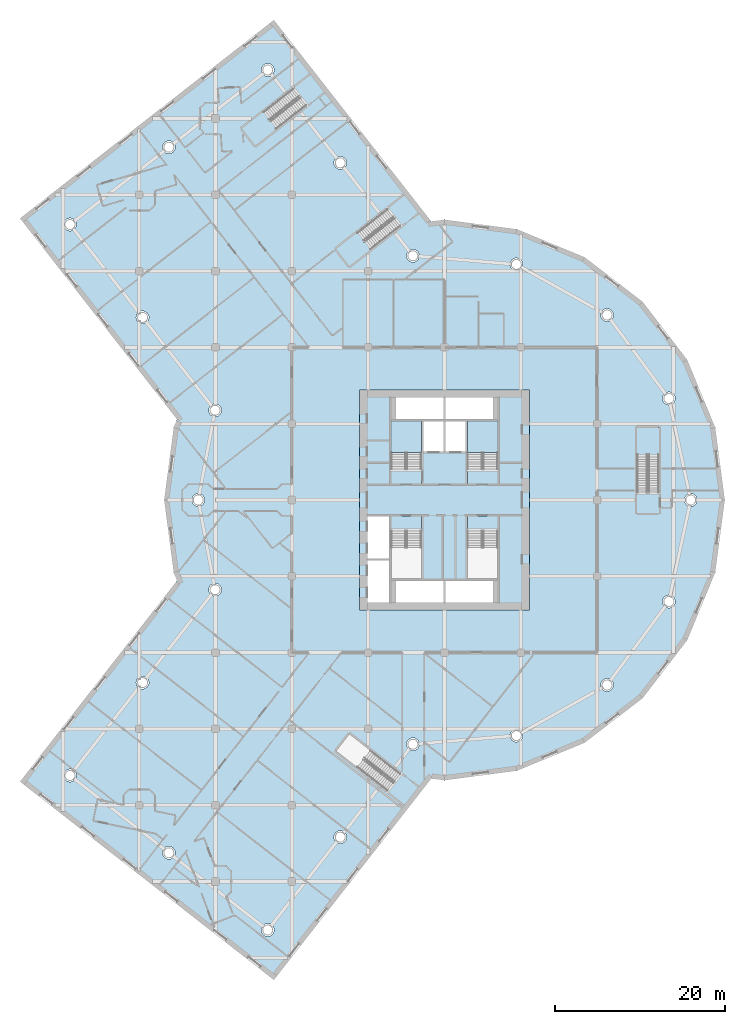
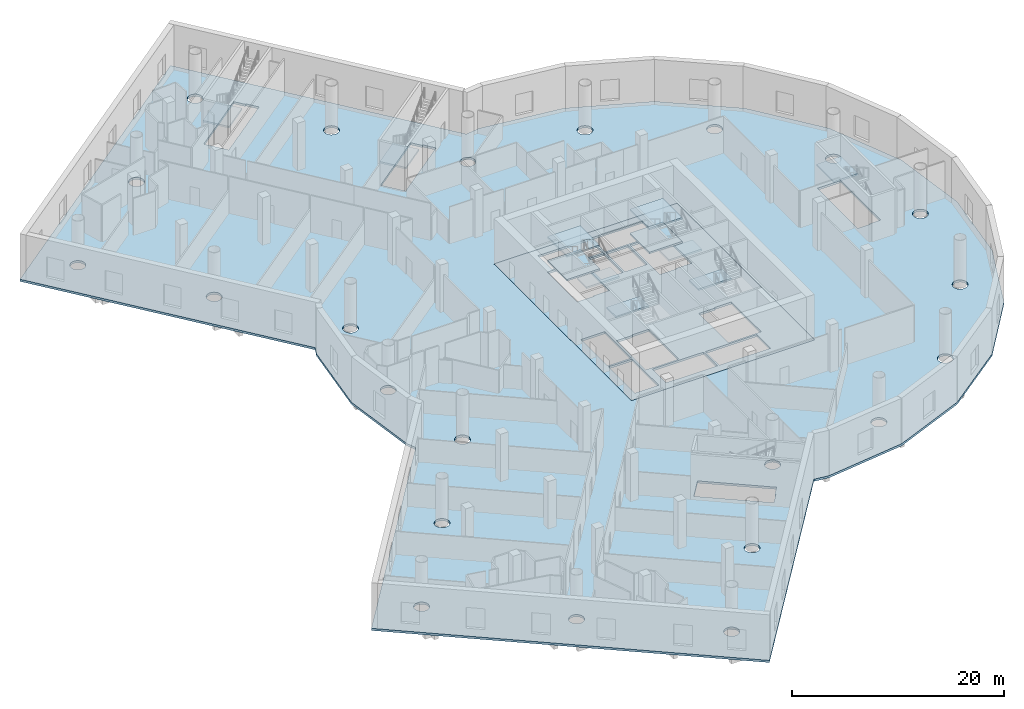
# One storey, part 3 of 23: 13 slabs, 7 elements without a shape of their own.
"""IFC4 building model written with IfcOpenShell, lengths in metres."""

from ifc_helpers import new_model, si_unit, direction, frame, origin, place, context, subcontext, project, spatial, polyline, outline, extrude, material, layer, layer_set, type_object, element, aggregate, save


model = new_model("IFC4")

# Units and contexts
model_context = context("Model", 3, precision=1e-05, world=origin(), true_north=direction((0.0, 1.0)))
body_context = subcontext(model_context, "Body", "Model", "MODEL_VIEW")
ifc_project = project(units=[si_unit("LENGTHUNIT", "METRE"), si_unit("AREAUNIT", "SQUARE_METRE"), si_unit("VOLUMEUNIT", "CUBIC_METRE"), si_unit("PLANEANGLEUNIT", "RADIAN"), si_unit("MASSUNIT", "GRAM", prefix="KILO")], contexts=[model_context])

# Site, building, storey
site_placement = place(None, origin())
site = spatial("IfcSite", under=ifc_project, at=site_placement, CompositionType="ELEMENT")
building_placement = place(site_placement, origin())
building = spatial("IfcBuilding", under=site, at=building_placement, Name="Tarsis Ring Headquarters", CompositionType="ELEMENT")
storey_placement = place(building_placement, frame((0.0, 0.0, 19.5)))
storey = spatial("IfcBuildingStorey", under=building, at=storey_placement, Name="L03", CompositionType="ELEMENT", Elevation=19.5)

# Slab
ifc_material_1 = material(Name="Concrete C40/50", Category="concrete")
ifc_layer_1 = layer(ifc_material_1, 0.25)
ifc_layer_set_1 = layer_set([ifc_layer_1], Name="Core floor slab 250 C40/50")
slab_type_1 = type_object("IfcSlabType", Name="Core floor slab 250 C40/50", PredefinedType="FLOOR", material=ifc_layer_set_1)
slab_1_placement = place(storey_placement, frame((0.0, 0.0, -0.25)))
element("IfcSlab", 1, at=slab_1_placement, inside=storey, type_object=slab_type_1, Name="L03 core floor slab", PredefinedType="FLOOR", context=body_context, shape_type="SweptSolid", body=[
    extrude(outline(polyline([(-10.0, -13.0), (10.0, -13.0), (10.0, 13.0), (-10.0, 13.0), (-10.0, -13.0)]), holes=[polyline([(-2.5, 5.699951171875), (-0.10009765625, 5.699951171875), (-0.10009765625, 9.300048828125), (-2.5, 9.300048828125), (-2.5, 5.699951171875)]), polyline([(0.10009765625, 5.699951171875), (2.5, 5.699951171875), (2.5, 9.300048828125), (0.10009765625, 9.300048828125), (0.10009765625, 5.699951171875)]), polyline([(-9.10009765625, -12.10009765625), (-6.5, -12.10009765625), (-6.5, -7.10009765625), (-9.10009765625, -7.10009765625), (-9.10009765625, -12.10009765625)]), polyline([(-9.10009765625, -6.89990234375), (-6.5, -6.89990234375), (-6.5, -1.89990234375), (-9.10009765625, -1.89990234375), (-9.10009765625, -6.89990234375)]), polyline([(-5.699951171875, 9.5), (-0.10009765625, 9.5), (-0.10009765625, 12.10009765625), (-5.699951171875, 12.10009765625), (-5.699951171875, 9.5)]), polyline([(0.10009765625, 9.5), (5.699951171875, 9.5), (5.699951171875, 12.10009765625), (0.10009765625, 12.10009765625), (0.10009765625, 9.5)]), polyline([(-5.699951171875, -12.10009765625), (-0.10009765625, -12.10009765625), (-0.10009765625, -9.5), (-5.699951171875, -9.5), (-5.699951171875, -12.10009765625)]), polyline([(0.10009765625, -12.10009765625), (5.699951171875, -12.10009765625), (5.699951171875, -9.5), (0.10009765625, -9.5), (0.10009765625, -12.10009765625)]), polyline([(-2.699951171875, 3.760009765625), (-2.699951171875, 9.300048828125), (-6.300048828125, 9.300048828125), (-6.300048828125, 3.659912109375), (-4.4599609375, 3.659912109375), (-4.4599609375, 3.760009765625), (-2.699951171875, 3.760009765625)]), polyline([(6.300048828125, 3.760009765625), (6.300048828125, 9.300048828125), (2.699951171875, 9.300048828125), (2.699951171875, 3.659912109375), (4.5400390625, 3.659912109375), (4.5400390625, 3.760009765625), (6.300048828125, 3.760009765625)]), polyline([(-6.300048828125, -3.760009765625), (-6.300048828125, -9.300048828125), (-2.699951171875, -9.300048828125), (-2.699951171875, -3.659912109375), (-4.5400390625, -3.659912109375), (-4.5400390625, -3.760009765625), (-6.300048828125, -3.760009765625)]), polyline([(2.699951171875, -3.760009765625), (2.699951171875, -9.300048828125), (6.300048828125, -9.300048828125), (6.300048828125, -3.659912109375), (4.4599609375, -3.659912109375), (4.4599609375, -3.760009765625), (2.699951171875, -3.760009765625)])]), origin(), (0.0, 0.0, 1.0), 0.25),
])

# Stair, slabs
ifc_material_2 = material(Name="Core stair 1760")
stair_type_1 = type_object("IfcStairType", Name="Core stair 1760", PredefinedType="HALF_TURN_STAIR", material=ifc_material_2)
stair_1_placement = place(storey_placement, origin())
stair_1 = element("IfcStair", 2, at=stair_1_placement, inside=storey, type_object=stair_type_1, Name="L03 Firefighting stair", PredefinedType="HALF_TURN_STAIR")
ifc_layer_2 = layer(ifc_material_1, 0.199951171875)
ifc_layer_set_2 = layer_set([ifc_layer_2], Name="Core stair landing 200")
slab_type_2 = type_object("IfcSlabType", Name="Core stair landing 200", PredefinedType="LANDING", material=ifc_layer_set_2)
slab_2_placement = place(storey_placement, frame((0.0, 0.0, 1.175048828125)))
slab_2 = element("IfcSlab", 3, at=slab_2_placement, type_object=slab_type_2, Name="Stair ST1 landing 1", PredefinedType="LANDING", context=body_context, shape_type="SweptSolid", body=[
    extrude(outline(polyline([(-2.699951171875, 5.6201171875), (-2.699951171875, 9.300048828125), (-6.300048828125, 9.300048828125), (-6.300048828125, 5.6201171875), (-2.699951171875, 5.6201171875)])), origin(), (0.0, 0.0, 1.0), 0.199951171875),
])
slab_3_placement = place(storey_placement, frame((0.0, 0.0, 2.550048828125)))
slab_3 = element("IfcSlab", 4, at=slab_3_placement, type_object=slab_type_2, Name="Stair ST1 landing 2", PredefinedType="LANDING", context=body_context, shape_type="SweptSolid", body=[
    extrude(outline(polyline([(-2.699951171875, 1.89990234375), (-2.699951171875, 3.659912109375), (-6.300048828125, 3.659912109375), (-6.300048828125, 1.89990234375), (-2.699951171875, 1.89990234375)])), origin(), (0.0, 0.0, 1.0), 0.199951171875),
])
slab_4_placement = place(storey_placement, frame((0.0, 0.0, 3.925048828125)))
slab_4 = element("IfcSlab", 5, at=slab_4_placement, type_object=slab_type_2, Name="Stair ST1 landing 3", PredefinedType="LANDING", context=body_context, shape_type="SweptSolid", body=[
    extrude(outline(polyline([(-2.699951171875, 5.6201171875), (-2.699951171875, 9.300048828125), (-6.300048828125, 9.300048828125), (-6.300048828125, 5.6201171875), (-2.699951171875, 5.6201171875)])), origin(), (0.0, 0.0, 1.0), 0.199951171875),
])
aggregate(stair_1, [slab_2, slab_3, slab_4])

stair_2_placement = place(storey_placement, origin())
stair_2 = element("IfcStair", 6, at=stair_2_placement, inside=storey, type_object=stair_type_1, Name="L03 Exit stair B", PredefinedType="HALF_TURN_STAIR")
slab_5_placement = place(storey_placement, frame((0.0, 0.0, 1.175048828125)))
slab_5 = element("IfcSlab", 7, at=slab_5_placement, type_object=slab_type_2, Name="Stair ST2 landing 1", PredefinedType="LANDING", context=body_context, shape_type="SweptSolid", body=[
    extrude(outline(polyline([(6.300048828125, 5.6201171875), (6.300048828125, 9.300048828125), (2.699951171875, 9.300048828125), (2.699951171875, 5.6201171875), (6.300048828125, 5.6201171875)])), origin(), (0.0, 0.0, 1.0), 0.199951171875),
])
slab_6_placement = place(storey_placement, frame((0.0, 0.0, 2.550048828125)))
slab_6 = element("IfcSlab", 8, at=slab_6_placement, type_object=slab_type_2, Name="Stair ST2 landing 2", PredefinedType="LANDING", context=body_context, shape_type="SweptSolid", body=[
    extrude(outline(polyline([(6.300048828125, 1.89990234375), (6.300048828125, 3.659912109375), (2.699951171875, 3.659912109375), (2.699951171875, 1.89990234375), (6.300048828125, 1.89990234375)])), origin(), (0.0, 0.0, 1.0), 0.199951171875),
])
slab_7_placement = place(storey_placement, frame((0.0, 0.0, 3.925048828125)))
slab_7 = element("IfcSlab", 9, at=slab_7_placement, type_object=slab_type_2, Name="Stair ST2 landing 3", PredefinedType="LANDING", context=body_context, shape_type="SweptSolid", body=[
    extrude(outline(polyline([(6.300048828125, 5.6201171875), (6.300048828125, 9.300048828125), (2.699951171875, 9.300048828125), (2.699951171875, 5.6201171875), (6.300048828125, 5.6201171875)])), origin(), (0.0, 0.0, 1.0), 0.199951171875),
])
aggregate(stair_2, [slab_5, slab_6, slab_7])

# Stair, slab
stair_3_placement = place(storey_placement, origin())
stair_3 = element("IfcStair", 10, at=stair_3_placement, inside=storey, type_object=stair_type_1, Name="L03 Exit stair C", PredefinedType="HALF_TURN_STAIR")
slab_8_placement = place(storey_placement, frame((0.0, 0.0, 2.550048828125)))
slab_8 = element("IfcSlab", 11, at=slab_8_placement, type_object=slab_type_2, Name="Stair ST3 landing 2", PredefinedType="LANDING", context=body_context, shape_type="SweptSolid", body=[
    extrude(outline(polyline([(-6.300048828125, -1.89990234375), (-6.300048828125, -3.659912109375), (-2.699951171875, -3.659912109375), (-2.699951171875, -1.89990234375), (-6.300048828125, -1.89990234375)])), origin(), (0.0, 0.0, 1.0), 0.199951171875),
])
aggregate(stair_3, [slab_8])

stair_4_placement = place(storey_placement, origin())
stair_4 = element("IfcStair", 12, at=stair_4_placement, inside=storey, type_object=stair_type_1, Name="L03 Exit stair D", PredefinedType="HALF_TURN_STAIR")
slab_9_placement = place(storey_placement, frame((0.0, 0.0, 2.550048828125)))
slab_9 = element("IfcSlab", 13, at=slab_9_placement, type_object=slab_type_2, Name="Stair ST4 landing 2", PredefinedType="LANDING", context=body_context, shape_type="SweptSolid", body=[
    extrude(outline(polyline([(2.699951171875, -1.89990234375), (2.699951171875, -3.659912109375), (6.300048828125, -3.659912109375), (6.300048828125, -1.89990234375), (2.699951171875, -1.89990234375)])), origin(), (0.0, 0.0, 1.0), 0.199951171875),
])
aggregate(stair_4, [slab_9])

# Slab
ifc_layer_3 = layer(ifc_material_1, 0.25)
ifc_layer_set_3 = layer_set([ifc_layer_3], Name="PO-S250")
slab_type_3 = type_object("IfcSlabType", Name="PO-S250", PredefinedType="FLOOR", material=ifc_layer_set_3)
slab_10_placement = place(storey_placement, frame((0.0, 0.0, -0.25)))
element("IfcSlab", 14, at=slab_10_placement, inside=storey, type_object=slab_type_3, Name="L03 podium floor slab", PredefinedType="FLOOR", context=body_context, shape_type="SweptSolid", body=[
    extrude(outline(polyline([(-50.06494140625, 33.218994140625), (-31.539794921875, 9.508056640625), (-31.933837890625, 8.556640625), (-33.060302734375, 0.0), (-31.933837890625, -8.556640625), (-31.539794921875, -9.508056640625), (-50.06494140625, -33.218994140625), (-20.12060546875, -56.6142578125), (-1.55810546875, -32.855224609375), (0.0, -33.060302734375), (8.556640625, -31.933837890625), (16.5302734375, -28.631103515625), (23.377197265625, -23.377197265625), (28.631103515625, -16.5302734375), (31.933837890625, -8.556640625), (33.060302734375, 0.0), (31.933837890625, 8.556640625), (28.631103515625, 16.5302734375), (23.377197265625, 23.377197265625), (16.5302734375, 28.631103515625), (8.556640625, 31.933837890625), (0.0, 33.060302734375), (-1.55810546875, 32.855224609375), (-20.12060546875, 56.6142578125), (-50.06494140625, 33.218994140625)]), holes=[polyline([(-20.844482421875, -51.46875), (-21.03857421875, -51.443115234375), (-21.219482421875, -51.3681640625), (-21.374755859375, -51.2490234375), (-21.493896484375, -51.09375), (-21.56884765625, -50.912841796875), (-21.594482421875, -50.71875), (-21.56884765625, -50.524658203125), (-21.493896484375, -50.34375), (-21.374755859375, -50.1884765625), (-21.219482421875, -50.0693359375), (-21.03857421875, -49.994384765625), (-20.844482421875, -49.96875), (-20.650146484375, -49.994384765625), (-20.469482421875, -50.0693359375), (-20.31396484375, -50.1884765625), (-20.19482421875, -50.34375), (-20.119873046875, -50.524658203125), (-20.094482421875, -50.71875), (-20.119873046875, -50.912841796875), (-20.19482421875, -51.09375), (-20.31396484375, -51.2490234375), (-20.469482421875, -51.3681640625), (-20.650146484375, -51.443115234375), (-20.844482421875, -51.46875)]), polyline([(-32.700927734375, -42.331298828125), (-32.8818359375, -42.256591796875), (-33.037353515625, -42.13720703125), (-33.156494140625, -41.98193359375), (-33.2314453125, -41.801025390625), (-33.2568359375, -41.60693359375), (-33.2314453125, -41.412841796875), (-33.156494140625, -41.23193359375), (-33.037353515625, -41.07666015625), (-32.8818359375, -40.95751953125), (-32.700927734375, -40.882568359375), (-32.5068359375, -40.85693359375), (-32.312744140625, -40.882568359375), (-32.1318359375, -40.95751953125), (-31.9765625, -41.07666015625), (-31.857421875, -41.23193359375), (-31.782470703125, -41.412841796875), (-31.7568359375, -41.60693359375), (-31.782470703125, -41.801025390625), (-31.857421875, -41.98193359375), (-31.9765625, -42.13720703125), (-32.1318359375, -42.256591796875), (-32.312744140625, -42.331298828125), (-32.5068359375, -42.35693359375), (-32.700927734375, -42.331298828125)]), polyline([(-12.4794921875, -40.488037109375), (-12.660400390625, -40.4130859375), (-12.815673828125, -40.2939453125), (-12.934814453125, -40.138671875), (-13.009765625, -39.957763671875), (-13.035400390625, -39.763671875), (-13.009765625, -39.569580078125), (-12.934814453125, -39.388671875), (-12.815673828125, -39.2333984375), (-12.660400390625, -39.114013671875), (-12.4794921875, -39.039306640625), (-12.285400390625, -39.013671875), (-12.091064453125, -39.039306640625), (-11.910400390625, -39.114013671875), (-11.7548828125, -39.2333984375), (-11.6357421875, -39.388671875), (-11.560791015625, -39.569580078125), (-11.535400390625, -39.763671875), (-11.560791015625, -39.957763671875), (-11.6357421875, -40.138671875), (-11.7548828125, -40.2939453125), (-11.910400390625, -40.4130859375), (-12.091064453125, -40.488037109375), (-12.285400390625, -40.513671875), (-12.4794921875, -40.488037109375)]), polyline([(-44.16943359375, -33.2451171875), (-44.363525390625, -33.2197265625), (-44.54443359375, -33.144775390625), (-44.69970703125, -33.025390625), (-44.819091796875, -32.8701171875), (-44.89404296875, -32.689208984375), (-44.91943359375, -32.4951171875), (-44.89404296875, -32.301025390625), (-44.819091796875, -32.1201171875), (-44.69970703125, -31.96484375), (-44.54443359375, -31.845703125), (-44.363525390625, -31.770751953125), (-44.16943359375, -31.7451171875), (-43.975341796875, -31.770751953125), (-43.79443359375, -31.845703125), (-43.63916015625, -31.96484375), (-43.52001953125, -32.1201171875), (-43.445068359375, -32.301025390625), (-43.41943359375, -32.4951171875), (-43.445068359375, -32.689208984375), (-43.52001953125, -32.8701171875), (-43.63916015625, -33.025390625), (-43.79443359375, -33.144775390625), (-43.975341796875, -33.2197265625), (-44.16943359375, -33.2451171875)]), polyline([(-35.804443359375, -22.264404296875), (-35.9853515625, -22.189697265625), (-36.140625, -22.0703125), (-36.260009765625, -21.9150390625), (-36.3349609375, -21.734130859375), (-36.3603515625, -21.5400390625), (-36.3349609375, -21.345947265625), (-36.260009765625, -21.1650390625), (-36.140625, -21.009765625), (-35.9853515625, -20.890625), (-35.804443359375, -20.815673828125), (-35.6103515625, -20.7900390625), (-35.416259765625, -20.815673828125), (-35.2353515625, -20.890625), (-35.080078125, -21.009765625), (-34.9609375, -21.1650390625), (-34.885986328125, -21.345947265625), (-34.8603515625, -21.5400390625), (-34.885986328125, -21.734130859375), (-34.9609375, -21.9150390625), (-35.080078125, -22.0703125), (-35.2353515625, -22.189697265625), (-35.416259765625, -22.264404296875), (-35.6103515625, -22.2900390625), (-35.804443359375, -22.264404296875)]), polyline([(-27.245361328125, -11.309326171875), (-27.42626953125, -11.234375), (-27.581787109375, -11.115234375), (-27.700927734375, -10.9599609375), (-27.77587890625, -10.779052734375), (-27.80126953125, -10.5849609375), (-27.77587890625, -10.390869140625), (-27.700927734375, -10.2099609375), (-27.581787109375, -10.0546875), (-27.42626953125, -9.935546875), (-27.245361328125, -9.860595703125), (-27.05126953125, -9.8349609375), (-26.857177734375, -9.860595703125), (-26.67626953125, -9.935546875), (-26.52099609375, -10.0546875), (-26.40185546875, -10.2099609375), (-26.326904296875, -10.390869140625), (-26.30126953125, -10.5849609375), (-26.326904296875, -10.779052734375), (-26.40185546875, -10.9599609375), (-26.52099609375, -11.115234375), (-26.67626953125, -11.234375), (-26.857177734375, -11.309326171875), (-27.05126953125, -11.3349609375), (-27.245361328125, -11.309326171875)]), polyline([(-29.048583984375, -0.75), (-29.24267578125, -0.724365234375), (-29.423583984375, -0.6494140625), (-29.578857421875, -0.5302734375), (-29.697998046875, -0.375), (-29.77294921875, -0.194091796875), (-29.798583984375, 0.0), (-29.77294921875, 0.194091796875), (-29.697998046875, 0.375), (-29.578857421875, 0.5302734375), (-29.423583984375, 0.6494140625), (-29.24267578125, 0.724365234375), (-29.048583984375, 0.75), (-28.8544921875, 0.724365234375), (-28.673583984375, 0.6494140625), (-28.51806640625, 0.5302734375), (-28.39892578125, 0.375), (-28.323974609375, 0.194091796875), (-28.298583984375, 0.0), (-28.323974609375, -0.194091796875), (-28.39892578125, -0.375), (-28.51806640625, -0.5302734375), (-28.673583984375, -0.6494140625), (-28.8544921875, -0.724365234375), (-29.048583984375, -0.75)]), polyline([(-27.245361328125, 9.860595703125), (-27.42626953125, 9.935546875), (-27.581787109375, 10.0546875), (-27.700927734375, 10.2099609375), (-27.77587890625, 10.390869140625), (-27.80126953125, 10.5849609375), (-27.77587890625, 10.779052734375), (-27.700927734375, 10.9599609375), (-27.581787109375, 11.115234375), (-27.42626953125, 11.234375), (-27.245361328125, 11.309326171875), (-27.05126953125, 11.3349609375), (-26.857177734375, 11.309326171875), (-26.67626953125, 11.234375), (-26.52099609375, 11.115234375), (-26.40185546875, 10.9599609375), (-26.326904296875, 10.779052734375), (-26.30126953125, 10.5849609375), (-26.326904296875, 10.390869140625), (-26.40185546875, 10.2099609375), (-26.52099609375, 10.0546875), (-26.67626953125, 9.935546875), (-26.857177734375, 9.860595703125), (-27.05126953125, 9.8349609375), (-27.245361328125, 9.860595703125)]), polyline([(-35.804443359375, 20.815673828125), (-35.9853515625, 20.890625), (-36.140625, 21.009765625), (-36.260009765625, 21.1650390625), (-36.3349609375, 21.345947265625), (-36.3603515625, 21.5400390625), (-36.3349609375, 21.734130859375), (-36.260009765625, 21.9150390625), (-36.140625, 22.0703125), (-35.9853515625, 22.189697265625), (-35.804443359375, 22.264404296875), (-35.6103515625, 22.2900390625), (-35.416259765625, 22.264404296875), (-35.2353515625, 22.189697265625), (-35.080078125, 22.0703125), (-34.9609375, 21.9150390625), (-34.885986328125, 21.734130859375), (-34.8603515625, 21.5400390625), (-34.885986328125, 21.345947265625), (-34.9609375, 21.1650390625), (-35.080078125, 21.009765625), (-35.2353515625, 20.890625), (-35.416259765625, 20.815673828125), (-35.6103515625, 20.7900390625), (-35.804443359375, 20.815673828125)]), polyline([(-44.363525390625, 31.770751953125), (-44.54443359375, 31.845703125), (-44.69970703125, 31.96484375), (-44.819091796875, 32.1201171875), (-44.89404296875, 32.301025390625), (-44.91943359375, 32.4951171875), (-44.89404296875, 32.689208984375), (-44.819091796875, 32.8701171875), (-44.69970703125, 33.025390625), (-44.54443359375, 33.144775390625), (-44.363525390625, 33.2197265625), (-44.16943359375, 33.2451171875), (-43.975341796875, 33.2197265625), (-43.79443359375, 33.144775390625), (-43.63916015625, 33.025390625), (-43.52001953125, 32.8701171875), (-43.445068359375, 32.689208984375), (-43.41943359375, 32.4951171875), (-43.445068359375, 32.301025390625), (-43.52001953125, 32.1201171875), (-43.63916015625, 31.96484375), (-43.79443359375, 31.845703125), (-43.975341796875, 31.770751953125), (-44.16943359375, 31.7451171875), (-44.363525390625, 31.770751953125)]), polyline([(-32.700927734375, 40.882568359375), (-32.8818359375, 40.95751953125), (-33.037353515625, 41.07666015625), (-33.156494140625, 41.23193359375), (-33.2314453125, 41.412841796875), (-33.2568359375, 41.60693359375), (-33.2314453125, 41.801025390625), (-33.156494140625, 41.98193359375), (-33.037353515625, 42.13720703125), (-32.8818359375, 42.256591796875), (-32.700927734375, 42.331298828125), (-32.5068359375, 42.35693359375), (-32.312744140625, 42.331298828125), (-32.1318359375, 42.256591796875), (-31.9765625, 42.13720703125), (-31.857421875, 41.98193359375), (-31.782470703125, 41.801025390625), (-31.7568359375, 41.60693359375), (-31.782470703125, 41.412841796875), (-31.857421875, 41.23193359375), (-31.9765625, 41.07666015625), (-32.1318359375, 40.95751953125), (-32.312744140625, 40.882568359375), (-32.5068359375, 40.85693359375), (-32.700927734375, 40.882568359375)]), polyline([(-17.197509765625, 47.5185546875), (-17.11865234375, 47.580078125), (-16.287841796875, 46.515869140625), (-22.310302734375, 41.81494140625), (-23.87939453125, 43.824951171875), (-17.935791015625, 48.464599609375), (-17.197509765625, 47.5185546875)]), polyline([(-21.03857421875, 49.994384765625), (-21.219482421875, 50.0693359375), (-21.374755859375, 50.1884765625), (-21.493896484375, 50.34375), (-21.56884765625, 50.524658203125), (-21.594482421875, 50.71875), (-21.56884765625, 50.912841796875), (-21.493896484375, 51.09375), (-21.374755859375, 51.2490234375), (-21.219482421875, 51.3681640625), (-21.03857421875, 51.443115234375), (-20.844482421875, 51.46875), (-20.650146484375, 51.443115234375), (-20.469482421875, 51.3681640625), (-20.31396484375, 51.2490234375), (-20.19482421875, 51.09375), (-20.119873046875, 50.912841796875), (-20.094482421875, 50.71875), (-20.119873046875, 50.524658203125), (-20.19482421875, 50.34375), (-20.31396484375, 50.1884765625), (-20.469482421875, 50.0693359375), (-20.650146484375, 49.994384765625), (-20.844482421875, 49.96875), (-21.03857421875, 49.994384765625)]), polyline([(-5.266845703125, -32.234375), (-6.005126953125, -33.180419921875), (-5.92626953125, -33.241943359375), (-6.757080078125, -34.305908203125), (-12.779541015625, -29.60498046875), (-11.21044921875, -27.594970703125), (-5.266845703125, -32.234375)]), polyline([(-3.92041015625, -29.532958984375), (-4.101318359375, -29.4580078125), (-4.256591796875, -29.3388671875), (-4.375732421875, -29.18359375), (-4.45068359375, -29.002685546875), (-4.476318359375, -28.80859375), (-4.45068359375, -28.614501953125), (-4.375732421875, -28.43359375), (-4.256591796875, -28.2783203125), (-4.101318359375, -28.158935546875), (-3.92041015625, -28.083984375), (-3.726318359375, -28.05859375), (-3.5322265625, -28.083984375), (-3.351318359375, -28.158935546875), (-3.19580078125, -28.2783203125), (-3.07666015625, -28.43359375), (-3.001708984375, -28.614501953125), (-2.976318359375, -28.80859375), (-3.001708984375, -29.002685546875), (-3.07666015625, -29.18359375), (-3.19580078125, -29.3388671875), (-3.351318359375, -29.4580078125), (-3.5322265625, -29.532958984375), (-3.726318359375, -29.55859375), (-3.92041015625, -29.532958984375)]), polyline([(8.28564453125, -28.5078125), (8.104736328125, -28.432861328125), (7.94921875, -28.313720703125), (7.830078125, -28.158203125), (7.755126953125, -27.977294921875), (7.729736328125, -27.783203125), (7.755126953125, -27.589111328125), (7.830078125, -27.408203125), (7.94921875, -27.2529296875), (8.104736328125, -27.1337890625), (8.28564453125, -27.058837890625), (8.479736328125, -27.033203125), (8.673828125, -27.058837890625), (8.854736328125, -27.1337890625), (9.010009765625, -27.2529296875), (9.129150390625, -27.408203125), (9.2041015625, -27.589111328125), (9.229736328125, -27.783203125), (9.2041015625, -27.977294921875), (9.129150390625, -28.158203125), (9.010009765625, -28.313720703125), (8.854736328125, -28.432861328125), (8.673828125, -28.5078125), (8.479736328125, -28.533203125), (8.28564453125, -28.5078125)]), polyline([(19.177734375, -22.568115234375), (18.983642578125, -22.54248046875), (18.802734375, -22.467529296875), (18.6474609375, -22.348388671875), (18.5283203125, -22.193115234375), (18.453369140625, -22.01220703125), (18.427734375, -21.818115234375), (18.453369140625, -21.6240234375), (18.5283203125, -21.443115234375), (18.6474609375, -21.287841796875), (18.802734375, -21.16845703125), (18.983642578125, -21.09375), (19.177734375, -21.068115234375), (19.371826171875, -21.09375), (19.552734375, -21.16845703125), (19.7080078125, -21.287841796875), (19.827392578125, -21.443115234375), (19.90234375, -21.6240234375), (19.927734375, -21.818115234375), (19.90234375, -22.01220703125), (19.827392578125, -22.193115234375), (19.7080078125, -22.348388671875), (19.552734375, -22.467529296875), (19.371826171875, -22.54248046875), (19.177734375, -22.568115234375)]), polyline([(26.27197265625, -12.697998046875), (26.091064453125, -12.623046875), (25.935791015625, -12.50390625), (25.81640625, -12.3486328125), (25.74169921875, -12.167724609375), (25.716064453125, -11.9736328125), (25.74169921875, -11.779296875), (25.81640625, -11.5986328125), (25.935791015625, -11.443115234375), (26.091064453125, -11.323974609375), (26.27197265625, -11.2490234375), (26.466064453125, -11.2236328125), (26.66015625, -11.2490234375), (26.841064453125, -11.323974609375), (26.996337890625, -11.443115234375), (27.115478515625, -11.5986328125), (27.1904296875, -11.779296875), (27.216064453125, -11.9736328125), (27.1904296875, -12.167724609375), (27.115478515625, -12.3486328125), (26.996337890625, -12.50390625), (26.841064453125, -12.623046875), (26.66015625, -12.697998046875), (26.466064453125, -12.7236328125), (26.27197265625, -12.697998046875)]), polyline([(28.8544921875, -0.724365234375), (28.673583984375, -0.6494140625), (28.51806640625, -0.5302734375), (28.39892578125, -0.375), (28.323974609375, -0.194091796875), (28.298583984375, 0.0), (28.323974609375, 0.194091796875), (28.39892578125, 0.375), (28.51806640625, 0.5302734375), (28.673583984375, 0.6494140625), (28.8544921875, 0.724365234375), (29.048583984375, 0.75), (29.24267578125, 0.724365234375), (29.423583984375, 0.6494140625), (29.578857421875, 0.5302734375), (29.697998046875, 0.375), (29.77294921875, 0.194091796875), (29.798583984375, 0.0), (29.77294921875, -0.194091796875), (29.697998046875, -0.375), (29.578857421875, -0.5302734375), (29.423583984375, -0.6494140625), (29.24267578125, -0.724365234375), (29.048583984375, -0.75), (28.8544921875, -0.724365234375)]), polyline([(25.27490234375, 0.97998046875), (24.074951171875, 0.97998046875), (24.074951171875, 0.8798828125), (22.72509765625, 0.8798828125), (22.72509765625, 8.52001953125), (25.27490234375, 8.52001953125), (25.27490234375, 0.97998046875)]), polyline([(26.27197265625, 11.2490234375), (26.091064453125, 11.323974609375), (25.935791015625, 11.443115234375), (25.81640625, 11.5986328125), (25.74169921875, 11.779296875), (25.716064453125, 11.9736328125), (25.74169921875, 12.167724609375), (25.81640625, 12.3486328125), (25.935791015625, 12.50390625), (26.091064453125, 12.623046875), (26.27197265625, 12.697998046875), (26.466064453125, 12.7236328125), (26.66015625, 12.697998046875), (26.841064453125, 12.623046875), (26.996337890625, 12.50390625), (27.115478515625, 12.3486328125), (27.1904296875, 12.167724609375), (27.216064453125, 11.9736328125), (27.1904296875, 11.779296875), (27.115478515625, 11.5986328125), (26.996337890625, 11.443115234375), (26.841064453125, 11.323974609375), (26.66015625, 11.2490234375), (26.466064453125, 11.2236328125), (26.27197265625, 11.2490234375)]), polyline([(18.983642578125, 21.09375), (18.802734375, 21.16845703125), (18.6474609375, 21.287841796875), (18.5283203125, 21.443115234375), (18.453369140625, 21.6240234375), (18.427734375, 21.818115234375), (18.453369140625, 22.01220703125), (18.5283203125, 22.193115234375), (18.6474609375, 22.348388671875), (18.802734375, 22.467529296875), (18.983642578125, 22.54248046875), (19.177734375, 22.568115234375), (19.371826171875, 22.54248046875), (19.552734375, 22.467529296875), (19.7080078125, 22.348388671875), (19.827392578125, 22.193115234375), (19.90234375, 22.01220703125), (19.927734375, 21.818115234375), (19.90234375, 21.6240234375), (19.827392578125, 21.443115234375), (19.7080078125, 21.287841796875), (19.552734375, 21.16845703125), (19.371826171875, 21.09375), (19.177734375, 21.068115234375), (18.983642578125, 21.09375)]), polyline([(8.28564453125, 27.058837890625), (8.104736328125, 27.1337890625), (7.94921875, 27.2529296875), (7.830078125, 27.408203125), (7.755126953125, 27.589111328125), (7.729736328125, 27.783203125), (7.755126953125, 27.977294921875), (7.830078125, 28.158203125), (7.94921875, 28.313720703125), (8.104736328125, 28.432861328125), (8.28564453125, 28.5078125), (8.479736328125, 28.533203125), (8.673828125, 28.5078125), (8.854736328125, 28.432861328125), (9.010009765625, 28.313720703125), (9.129150390625, 28.158203125), (9.2041015625, 27.977294921875), (9.229736328125, 27.783203125), (9.2041015625, 27.589111328125), (9.129150390625, 27.408203125), (9.010009765625, 27.2529296875), (8.854736328125, 27.1337890625), (8.673828125, 27.058837890625), (8.479736328125, 27.033203125), (8.28564453125, 27.058837890625)]), polyline([(-3.92041015625, 28.083984375), (-4.101318359375, 28.158935546875), (-4.256591796875, 28.2783203125), (-4.375732421875, 28.43359375), (-4.45068359375, 28.614501953125), (-4.476318359375, 28.80859375), (-4.45068359375, 29.002685546875), (-4.375732421875, 29.18359375), (-4.256591796875, 29.3388671875), (-4.101318359375, 29.4580078125), (-3.92041015625, 29.532958984375), (-3.726318359375, 29.55859375), (-3.5322265625, 29.532958984375), (-3.351318359375, 29.4580078125), (-3.19580078125, 29.3388671875), (-3.07666015625, 29.18359375), (-3.001708984375, 29.002685546875), (-2.976318359375, 28.80859375), (-3.001708984375, 28.614501953125), (-3.07666015625, 28.43359375), (-3.19580078125, 28.2783203125), (-3.351318359375, 28.158935546875), (-3.5322265625, 28.083984375), (-3.726318359375, 28.05859375), (-3.92041015625, 28.083984375)]), polyline([(-6.097412109375, 33.298583984375), (-6.0185546875, 33.360107421875), (-5.18798828125, 32.2958984375), (-11.21044921875, 27.594970703125), (-12.779541015625, 29.60498046875), (-6.8359375, 34.244384765625), (-6.097412109375, 33.298583984375)]), polyline([(-12.4794921875, 39.039306640625), (-12.660400390625, 39.114013671875), (-12.815673828125, 39.2333984375), (-12.934814453125, 39.388671875), (-13.009765625, 39.569580078125), (-13.035400390625, 39.763671875), (-13.009765625, 39.957763671875), (-12.934814453125, 40.138671875), (-12.815673828125, 40.2939453125), (-12.660400390625, 40.4130859375), (-12.4794921875, 40.488037109375), (-12.285400390625, 40.513671875), (-12.091064453125, 40.488037109375), (-11.910400390625, 40.4130859375), (-11.7548828125, 40.2939453125), (-11.6357421875, 40.138671875), (-11.560791015625, 39.957763671875), (-11.535400390625, 39.763671875), (-11.560791015625, 39.569580078125), (-11.6357421875, 39.388671875), (-11.7548828125, 39.2333984375), (-11.910400390625, 39.114013671875), (-12.091064453125, 39.039306640625), (-12.285400390625, 39.013671875), (-12.4794921875, 39.039306640625)]), polyline([(10.0, -13.0), (10.0, 13.0), (-10.0, 13.0), (-10.0, -13.0), (10.0, -13.0)])]), origin(), (0.0, 0.0, 1.0), 0.25),
])

# Stair, slab
stair_type_2 = type_object("IfcStairType", Name="PO-ST", PredefinedType="HALF_TURN_STAIR", material=ifc_material_1)
stair_5_placement = place(storey_placement, origin())
stair_5 = element("IfcStair", 15, at=stair_5_placement, inside=storey, type_object=stair_type_2, Name="L03 Podium stair", PredefinedType="HALF_TURN_STAIR")
ifc_layer_4 = layer(ifc_material_1, 0.199951171875)
ifc_layer_set_4 = layer_set([ifc_layer_4], Name="PO-STL")
slab_type_4 = type_object("IfcSlabType", Name="PO-STL", PredefinedType="LANDING", material=ifc_layer_set_4)
slab_11_placement = place(storey_placement, frame((0.0, 0.0, 2.550048828125)))
slab_11 = element("IfcSlab", 16, at=slab_11_placement, type_object=slab_type_4, Name="Stair PS1 landing 1", PredefinedType="LANDING", context=body_context, shape_type="SweptSolid", body=[
    extrude(outline(polyline([(25.3349609375, 5.300048828125), (25.3349609375, 8.580078125), (22.6650390625, 8.580078125), (22.6650390625, 5.300048828125), (25.3349609375, 5.300048828125)])), origin(), (0.0, 0.0, 1.0), 0.199951171875),
])
aggregate(stair_5, [slab_11])

stair_6_placement = place(storey_placement, origin())
stair_6 = element("IfcStair", 17, at=stair_6_placement, inside=storey, type_object=stair_type_2, Name="L03 Podium stair", PredefinedType="HALF_TURN_STAIR")
slab_12_placement = place(storey_placement, frame((0.0, 0.0, 2.550048828125)))
slab_12 = element("IfcSlab", 18, at=slab_12_placement, type_object=slab_type_4, Name="Stair PS3 landing 1", PredefinedType="LANDING", context=body_context, shape_type="SweptSolid", body=[
    extrude(outline(polyline([(-10.278076171875, 31.633544921875), (-12.86376953125, 29.615234375), (-11.220703125, 27.5107421875), (-8.63525390625, 29.52880859375), (-10.278076171875, 31.633544921875)])), origin(), (0.0, 0.0, 1.0), 0.199951171875),
])
aggregate(stair_6, [slab_12])

stair_7_placement = place(storey_placement, origin())
stair_7 = element("IfcStair", 19, at=stair_7_placement, inside=storey, type_object=stair_type_2, Name="L03 Podium stair", PredefinedType="HALF_TURN_STAIR")
slab_13_placement = place(storey_placement, frame((0.0, 0.0, 2.550048828125)))
slab_13 = element("IfcSlab", 20, at=slab_13_placement, type_object=slab_type_4, Name="Stair PS4 landing 1", PredefinedType="LANDING", context=body_context, shape_type="SweptSolid", body=[
    extrude(outline(polyline([(-21.378173828125, 45.853515625), (-23.963623046875, 43.83544921875), (-22.32080078125, 41.730712890625), (-19.735107421875, 43.7490234375), (-21.378173828125, 45.853515625)])), origin(), (0.0, 0.0, 1.0), 0.199951171875),
])
aggregate(stair_7, [slab_13])

save(model, "model.ifc")
